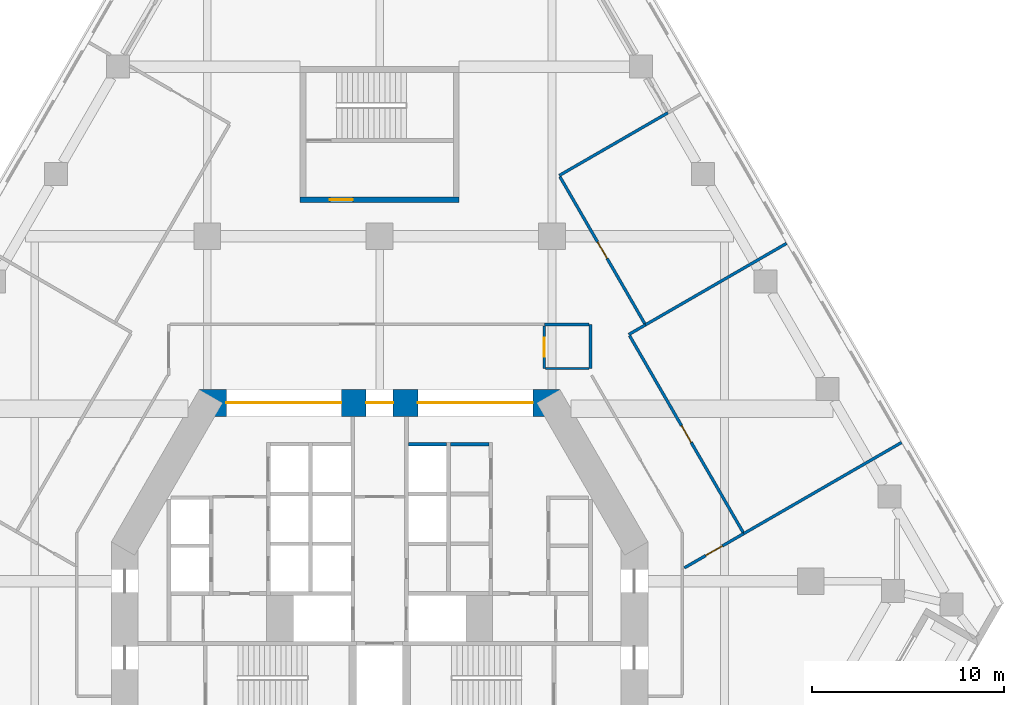
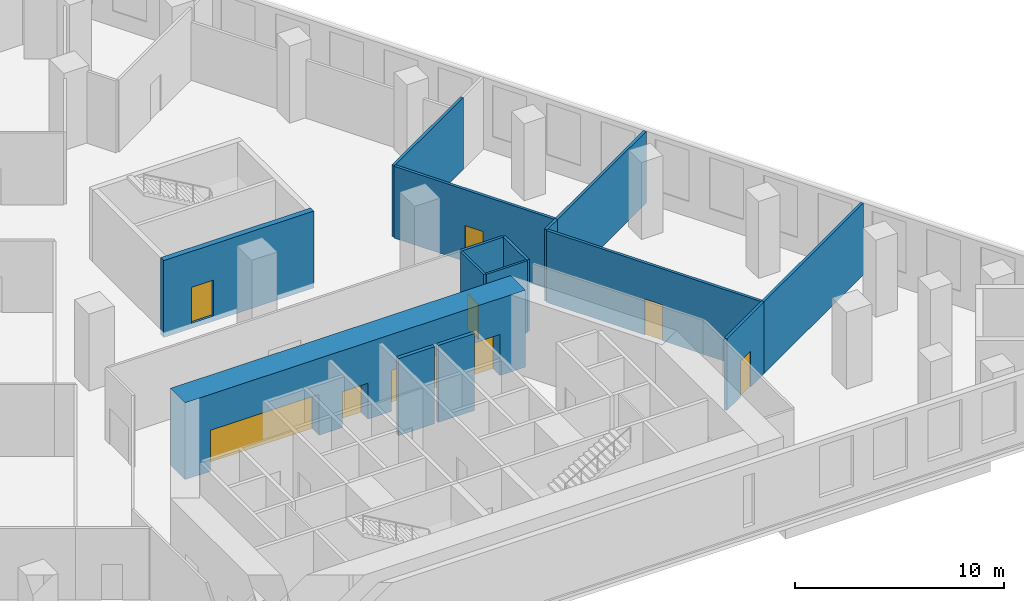
# One storey, part 8 of 14: 15 walls, 8 doors, 8 openings.
"""IFC4 building model written with IfcOpenShell, lengths in metres."""

from ifc_helpers import new_model, si_unit, direction, frame, frame_2d, origin, place, context, subcontext, project, spatial, rectangle, extrude, material, layer, layer_set, type_object, element, fill, save


model = new_model("IFC4")

# Units and contexts
model_context = context("Model", 3, precision=1e-05, world=origin(), true_north=direction((0.0, 1.0)))
body_context = subcontext(model_context, "Body", "Model", "MODEL_VIEW")
ifc_project = project(units=[si_unit("LENGTHUNIT", "METRE"), si_unit("AREAUNIT", "SQUARE_METRE"), si_unit("VOLUMEUNIT", "CUBIC_METRE"), si_unit("PLANEANGLEUNIT", "RADIAN"), si_unit("MASSUNIT", "GRAM", prefix="KILO")], contexts=[model_context])

# Site, building, storey
site_placement = place(None, origin())
site = spatial("IfcSite", under=ifc_project, at=site_placement, CompositionType="ELEMENT")
building_placement = place(site_placement, origin())
building = spatial("IfcBuilding", under=site, at=building_placement, Name="Fogline Exchange Tower", CompositionType="ELEMENT")
storey_placement = place(building_placement, frame((0.0, 0.0, 34.0)))
storey = spatial("IfcBuildingStorey", under=building, at=storey_placement, Name="L06", CompositionType="ELEMENT", Elevation=34.0)

# Walls
ifc_material_1 = material(Name="Concrete C40", Category="concrete")
ifc_layer_1 = layer(ifc_material_1, 0.199951171875)
ifc_layer_set_1 = layer_set([ifc_layer_1], Name="CW20S")
wall_type_1 = type_object("IfcWallType", Name="CW20S", PredefinedType="SOLIDWALL", material=ifc_layer_set_1)
for number, where, z_axis, x_axis, name in (
    (1, (3.699951171875, 16.14990234375, -0.300048828125), (0.0, 0.0, 1.0), (1.0, 0.0, 0.0), "Lift shaft wall"),
    (2, (1.5, 16.14990234375, -0.300048828125), (0.0, 0.0, 1.0), (1.0, 0.0, 0.0), "Lift shaft wall"),
):
    element("IfcWall", number, at=place(storey_placement, frame(where, z_axis=z_axis, x_axis=x_axis)), inside=storey, type_object=wall_type_1, Name=name, PredefinedType="SOLIDWALL", context=body_context, shape_type="SweptSolid", body=[
        extrude(rectangle(XDim=2.0, YDim=0.199951171875, at=frame_2d((1.0, 0.0))), origin(), (0.0, 0.0, 1.0), 4.5),
    ])

# Wall, opening, door
ifc_layer_2 = layer(ifc_material_1, 0.300048828125)
ifc_layer_set_2 = layer_set([ifc_layer_2], Name="CW30")
wall_type_2 = type_object("IfcWallType", Name="CW30", PredefinedType="SOLIDWALL", material=ifc_layer_set_2)
wall_1_placement = place(storey_placement, frame((-4.14990234375, 28.906982421875, -0.300048828125), z_axis=(0.0, 0.0, 1.0), x_axis=(1.0, 0.0, 0.0)))
wall_1 = element("IfcWall", 3, at=wall_1_placement, inside=storey, type_object=wall_type_2, Name="Stair enclosure wall ST3", PredefinedType="SOLIDWALL", context=body_context, shape_type="SweptSolid", body=[
    extrude(rectangle(XDim=8.2998046875, YDim=0.300048828125, at=frame_2d((4.14990234375, 0.0))), origin(), (0.0, 0.0, 1.0), 4.5),
])
opening_1_placement = place(wall_1_placement, frame((1.550048828125, 0.0, 0.300048828125)))
opening_1 = element("IfcOpeningElement", 4, at=opening_1_placement, cuts=wall_1, Name="Opening T01-C022", PredefinedType="OPENING", context=body_context, shape_type="SweptSolid", body=[
    extrude(rectangle(XDim=1.199951171875, YDim=2.10009765625, at=frame_2d((0.60009765625, 1.050048828125))), frame((0.0, 0.16015625, 0.0), z_axis=(0.0, -1.0, 0.0), x_axis=(1.0, 0.0, 0.0)), (0.0, 0.0, 1.0), 0.320068359375),
])
ifc_material_2 = material(Name="Steel and timber fire door", Category="steel")
door_type_1 = type_object("IfcDoorType", Name="D-FR1", OperationType="SINGLE_SWING_RIGHT", PredefinedType="DOOR", material=ifc_material_2)
door_1_placement = place(opening_1_placement, origin())
door_1 = element("IfcDoor", 5, at=door_1_placement, inside=storey, type_object=door_type_1, Name="Front room door ST3", OperationType="SINGLE_SWING_LEFT", OverallHeight=2.10009765625, OverallWidth=1.199951171875, PredefinedType="DOOR", context=body_context, shape_type="SweptSolid", body=[
    extrude(rectangle(XDim=1.199951171875, YDim=2.10009765625, at=frame_2d((0.60009765625, 1.050048828125))), frame((0.0, 0.02490234375, 0.0), z_axis=(0.0, -1.0, 0.0), x_axis=(1.0, 0.0, 0.0)), (0.0, 0.0, 1.0), 0.050048828125),
])
fill(opening_1, door_1)

ifc_material_3 = material(Name="Plasterboard corridor partition with mineral wool, 2 layers each side")
ifc_layer_3 = layer(ifc_material_3, 0.125)
ifc_layer_set_3 = layer_set([ifc_layer_3], Name="PW2")
wall_type_3 = type_object("IfcWallType", Name="PW2", PredefinedType="PARTITIONING", material=ifc_layer_set_3)
wall_2_placement = place(storey_placement, frame((8.60009765625, 22.324462890625, 0.0), z_axis=(0.0, 0.0, 1.0), x_axis=(0.0, -1.0, 0.0)))
wall_2 = element("IfcWall", 6, at=wall_2_placement, inside=storey, type_object=wall_type_3, Name="wall-L06-W007", PredefinedType="PARTITIONING", context=body_context, shape_type="SweptSolid", body=[
    extrude(rectangle(XDim=2.224365234375, YDim=0.125, at=frame_2d((1.1123046875, 0.0))), origin(), (0.0, 0.0, 1.0), 4.199951171875),
])
opening_2_placement = place(wall_2_placement, frame((0.6123046875, 0.0, 0.0)))
opening_2 = element("IfcOpeningElement", 7, at=opening_2_placement, cuts=wall_2, Name="Opening T01-D004", PredefinedType="OPENING", context=body_context, shape_type="SweptSolid", body=[
    extrude(rectangle(XDim=1.0, YDim=2.10009765625, at=frame_2d((0.5, 1.050048828125))), frame((0.0, 0.072509765625, 0.0), z_axis=(0.0, -1.0, 0.0), x_axis=(1.0, 0.0, 0.0)), (0.0, 0.0, 1.0), 0.14501953125),
])
ifc_material_4 = material(Name="Fire-rated timber door leaf with steel frame", Category="steel")
door_type_2 = type_object("IfcDoorType", Name="D3", OperationType="SINGLE_SWING_LEFT", PredefinedType="DOOR", material=ifc_material_4)
door_2_placement = place(opening_2_placement, origin())
door_2 = element("IfcDoor", 8, at=door_2_placement, inside=storey, type_object=door_type_2, Name="door-L06-D004", OperationType="SINGLE_SWING_RIGHT", OverallHeight=2.10009765625, OverallWidth=1.0, PredefinedType="DOOR", context=body_context, shape_type="SweptSolid", body=[
    extrude(rectangle(XDim=1.0, YDim=2.10009765625, at=frame_2d((0.5, 1.050048828125))), frame((0.0, 0.02490234375, 0.0), z_axis=(0.0, -1.0, 0.0), x_axis=(1.0, 0.0, 0.0)), (0.0, 0.0, 1.0), 0.050048828125),
])
fill(opening_2, door_2)

# Walls
wall_3_placement = place(storey_placement, frame((8.66259765625, 20.10009765625, 0.0), z_axis=(0.0, 0.0, 1.0), x_axis=(1.0, 0.0, 0.0)))
element("IfcWall", 9, at=wall_3_placement, inside=storey, type_object=wall_type_3, Name="wall-L06-W008", PredefinedType="PARTITIONING", context=body_context, shape_type="SweptSolid", body=[
    extrude(rectangle(XDim=2.262451171875, YDim=0.125, at=frame_2d((1.13134765625, 0.0))), origin(), (0.0, 0.0, 1.0), 4.199951171875),
])
ifc_material_5 = material(Name="Plasterboard demising partition with mineral wool and acoustic board")
ifc_layer_4 = layer(ifc_material_5, 0.14990234375)
ifc_layer_set_4 = layer_set([ifc_layer_4], Name="PW3")
wall_type_4 = type_object("IfcWallType", Name="PW3", PredefinedType="PARTITIONING", material=ifc_layer_set_4)
wall_4_placement = place(storey_placement, frame((9.373046875, 30.171142578125, 0.0), z_axis=(0.0, 0.0, 1.0), x_axis=(0.866021102686, 0.500007449647, 0.0)))
element("IfcWall", 10, at=wall_4_placement, inside=storey, type_object=wall_type_4, Name="wall-L06-W014", PredefinedType="PARTITIONING", context=body_context, shape_type="SweptSolid", body=[
    extrude(rectangle(XDim=6.55029296875, YDim=0.14990234375, at=frame_2d((3.275146484375, 0.0))), origin(), (0.0, 0.0, 1.0), 4.199951171875),
])

# Wall, opening, door
wall_5_placement = place(storey_placement, frame((13.835693359375, 22.44189453125, 0.0), z_axis=(0.0, 0.0, 1.0), x_axis=(-0.500005027614, 0.86602250107, 0.0)))
wall_5 = element("IfcWall", 11, at=wall_5_placement, inside=storey, type_object=wall_type_4, Name="wall-L06-W015", PredefinedType="PARTITIONING", context=body_context, shape_type="SweptSolid", body=[
    extrude(rectangle(XDim=8.85009765625, YDim=0.14990234375, at=frame_2d((4.425048828125, 0.0))), origin(), (0.0, 0.0, 1.0), 4.199951171875),
])
opening_3_placement = place(wall_5_placement, frame((3.925048828125, 0.0, 0.0)))
opening_3 = element("IfcOpeningElement", 12, at=opening_3_placement, cuts=wall_5, Name="Opening T01-D006", PredefinedType="OPENING", context=body_context, shape_type="SweptSolid", body=[
    extrude(rectangle(XDim=1.0, YDim=2.10009765625, at=frame_2d((0.5, 1.050048828125))), frame((0.0, 0.0849609375, 0.0), z_axis=(0.0, -1.0, 0.0), x_axis=(1.0, 0.0, 0.0)), (0.0, 0.0, 1.0), 0.169921875),
])
door_3_placement = place(opening_3_placement, frame((1.0, 0.0, 0.0), z_axis=(0.0, 0.0, 1.0), x_axis=(-1.0, 0.0, 0.0)))
door_3 = element("IfcDoor", 13, at=door_3_placement, inside=storey, type_object=door_type_2, Name="door-L06-D006", OperationType="SINGLE_SWING_RIGHT", OverallHeight=2.10009765625, OverallWidth=1.0, PredefinedType="DOOR", context=body_context, shape_type="SweptSolid", body=[
    extrude(rectangle(XDim=1.0, YDim=2.10009765625, at=frame_2d((0.5, 1.050048828125))), frame((0.0, 0.02490234375, 0.0), z_axis=(0.0, -1.0, 0.0), x_axis=(1.0, 0.0, 0.0)), (0.0, 0.0, 1.0), 0.050048828125),
])
fill(opening_3, door_3)

# Wall
wall_6_placement = place(storey_placement, frame((21.234375, 26.626953125, 0.0), z_axis=(0.0, 0.0, 1.0), x_axis=(-0.866028703517, -0.499994284652, 0.0)))
element("IfcWall", 14, at=wall_6_placement, inside=storey, type_object=wall_type_4, Name="wall-L06-W016", PredefinedType="PARTITIONING", context=body_context, shape_type="SweptSolid", body=[
    extrude(rectangle(XDim=8.5, YDim=0.14990234375, at=frame_2d((4.25, 0.0))), origin(), (0.0, 0.0, 1.0), 4.199951171875),
])

# Wall, opening, door
wall_7_placement = place(storey_placement, frame((19.007080078125, 11.484619140625, 0.0), z_axis=(0.0, 0.0, 1.0), x_axis=(-0.866048453834, -0.499960074017, 0.0)))
wall_7 = element("IfcWall", 15, at=wall_7_placement, inside=storey, type_object=wall_type_4, Name="wall-L06-W036", PredefinedType="PARTITIONING", context=body_context, shape_type="SweptSolid", body=[
    extrude(rectangle(XDim=3.587158203125, YDim=0.14990234375, at=frame_2d((1.79345703125, 0.0))), origin(), (0.0, 0.0, 1.0), 4.199951171875),
])
opening_4_placement = place(wall_7_placement, frame((1.293701171875, 0.0, 0.0)))
opening_4 = element("IfcOpeningElement", 16, at=opening_4_placement, cuts=wall_7, Name="Opening T01-D014", PredefinedType="OPENING", context=body_context, shape_type="SweptSolid", body=[
    extrude(rectangle(XDim=1.0, YDim=2.10009765625, at=frame_2d((0.5, 1.050048828125))), frame((0.0, 0.0849609375, 0.0), z_axis=(0.0, -1.0, 0.0), x_axis=(1.0, 0.0, 0.0)), (0.0, 0.0, 1.0), 0.169921875),
])
door_4_placement = place(opening_4_placement, origin())
door_4 = element("IfcDoor", 17, at=door_4_placement, inside=storey, type_object=door_type_2, Name="door-L06-D014", OperationType="SINGLE_SWING_RIGHT", OverallHeight=2.10009765625, OverallWidth=1.0, PredefinedType="DOOR", context=body_context, shape_type="SweptSolid", body=[
    extrude(rectangle(XDim=1.0, YDim=2.10009765625, at=frame_2d((0.5, 1.050048828125))), frame((0.0, 0.02490234375, 0.0), z_axis=(0.0, -1.0, 0.0), x_axis=(1.0, 0.0, 0.0)), (0.0, 0.0, 1.0), 0.050048828125),
])
fill(opening_4, door_4)

# Wall
wall_8_placement = place(storey_placement, frame((13.873046875, 22.376953125, 0.0), z_axis=(0.0, 0.0, 1.0), x_axis=(-0.866010750942, -0.50002537861, 0.0)))
element("IfcWall", 18, at=wall_8_placement, inside=storey, type_object=wall_type_4, Name="wall-L06-W037", PredefinedType="PARTITIONING", context=body_context, shape_type="SweptSolid", body=[
    extrude(rectangle(XDim=1.0, YDim=0.14990234375, at=frame_2d((0.5, 0.0))), origin(), (0.0, 0.0, 1.0), 4.199951171875),
])

# Wall, opening, door
wall_9_placement = place(storey_placement, frame((13.044677734375, 21.81201171875, 0.0), z_axis=(0.0, 0.0, 1.0), x_axis=(0.499994727438, -0.866028447878, 0.0)))
wall_9 = element("IfcWall", 19, at=wall_9_placement, inside=storey, type_object=wall_type_4, Name="wall-L06-W038", PredefinedType="PARTITIONING", context=body_context, shape_type="SweptSolid", body=[
    extrude(rectangle(XDim=11.849853515625, YDim=0.14990234375, at=frame_2d((5.9248046875, 0.0))), origin(), (0.0, 0.0, 1.0), 4.199951171875),
])
opening_5_placement = place(wall_9_placement, frame((5.425048828125, 0.0, 0.0)))
opening_5 = element("IfcOpeningElement", 20, at=opening_5_placement, cuts=wall_9, Name="Opening T01-D015", PredefinedType="OPENING", context=body_context, shape_type="SweptSolid", body=[
    extrude(rectangle(XDim=1.0, YDim=2.10009765625, at=frame_2d((0.5, 1.050048828125))), frame((0.0, 0.0849609375, 0.0), z_axis=(0.0, -1.0, 0.0), x_axis=(1.0, 0.0, 0.0)), (0.0, 0.0, 1.0), 0.169921875),
])
door_5_placement = place(opening_5_placement, origin())
door_5 = element("IfcDoor", 21, at=door_5_placement, inside=storey, type_object=door_type_2, Name="door-L06-D015", OperationType="SINGLE_SWING_RIGHT", OverallHeight=2.10009765625, OverallWidth=1.0, PredefinedType="DOOR", context=body_context, shape_type="SweptSolid", body=[
    extrude(rectangle(XDim=1.0, YDim=2.10009765625, at=frame_2d((0.5, 1.050048828125))), frame((0.0, 0.02490234375, 0.0), z_axis=(0.0, -1.0, 0.0), x_axis=(1.0, 0.0, 0.0)), (0.0, 0.0, 1.0), 0.050048828125),
])
fill(opening_5, door_5)

# Walls
wall_10_placement = place(storey_placement, frame((11.0, 20.10009765625, 0.0), z_axis=(0.0, 0.0, 1.0), x_axis=(0.0, 1.0, 0.0)))
element("IfcWall", 22, at=wall_10_placement, inside=storey, type_object=wall_type_4, Name="wall-L06-W039", PredefinedType="PARTITIONING", context=body_context, shape_type="SweptSolid", body=[
    extrude(rectangle(XDim=2.2998046875, YDim=0.14990234375, at=frame_2d((1.14990234375, 0.0))), origin(), (0.0, 0.0, 1.0), 4.199951171875),
])
wall_11_placement = place(storey_placement, frame((10.925048828125, 22.39990234375, 0.0), z_axis=(0.0, 0.0, 1.0), x_axis=(-1.0, 0.0, 0.0)))
element("IfcWall", 23, at=wall_11_placement, inside=storey, type_object=wall_type_4, Name="wall-L06-W040", PredefinedType="PARTITIONING", context=body_context, shape_type="SweptSolid", body=[
    extrude(rectangle(XDim=2.324951171875, YDim=0.14990234375, at=frame_2d((1.16259765625, 0.0))), origin(), (0.0, 0.0, 1.0), 4.199951171875),
])
wall_12_placement = place(storey_placement, frame((19.007080078125, 11.484619140625, 0.0), z_axis=(0.0, 0.0, 1.0), x_axis=(0.86602681393, 0.499997557548, 0.0)))
element("IfcWall", 24, at=wall_12_placement, inside=storey, type_object=wall_type_4, Name="wall-L06-W045", PredefinedType="PARTITIONING", context=body_context, shape_type="SweptSolid", body=[
    extrude(rectangle(XDim=9.5, YDim=0.14990234375, at=frame_2d((4.75, 0.0))), origin(), (0.0, 0.0, 1.0), 4.199951171875),
])

# Wall, openings, doors
ifc_material_6 = material(Name="Concrete C60", Category="concrete")
ifc_layer_5 = layer(ifc_material_6, 1.39990234375)
ifc_layer_set_5 = layer_set([ifc_layer_5], Name="SW01")
wall_type_5 = type_object("IfcWallType", Name="SW01", PredefinedType="SHEAR", material=ifc_layer_set_5)
wall_13_placement = place(storey_placement, frame((9.41162109375, 18.300048828125, 0.0), z_axis=(0.0, 0.0, 1.0), x_axis=(-1.0, 0.0, 0.0)))
wall_13 = element("IfcWall", 25, at=wall_13_placement, inside=storey, type_object=wall_type_5, Name="L06-W904", PredefinedType="SHEAR", context=body_context, shape_type="SweptSolid", body=[
    extrude(rectangle(XDim=18.8232421875, YDim=1.39990234375, at=frame_2d((9.41162109375, 0.0))), origin(), (0.0, 0.0, 1.0), 4.5),
])
opening_6_placement = place(wall_13_placement, frame((8.71142578125, 0.0, 0.0)))
opening_6 = element("IfcOpeningElement", 26, at=opening_6_placement, cuts=wall_13, Name="Opening T01-C019", PredefinedType="OPENING", context=body_context, shape_type="SweptSolid", body=[
    extrude(rectangle(XDim=1.39990234375, YDim=2.10009765625, at=frame_2d((0.699951171875, 1.050048828125))), frame((0.0, 0.7099609375, 0.0), z_axis=(0.0, -1.0, 0.0), x_axis=(1.0, 0.0, 0.0)), (0.0, 0.0, 1.0), 1.419921875),
])
opening_7_placement = place(wall_13_placement, frame((11.41162109375, 0.0, 0.0)))
opening_7 = element("IfcOpeningElement", 27, at=opening_7_placement, cuts=wall_13, Name="Opening T01-C020", PredefinedType="OPENING", context=body_context, shape_type="SweptSolid", body=[
    extrude(rectangle(XDim=6.0, YDim=2.39990234375, at=frame_2d((3.0, 1.199951171875))), frame((0.0, 0.7099609375, 0.0), z_axis=(0.0, -1.0, 0.0), x_axis=(1.0, 0.0, 0.0)), (0.0, 0.0, 1.0), 1.419921875),
])
opening_8_placement = place(wall_13_placement, frame((1.41162109375, 0.0, 0.0)))
opening_8 = element("IfcOpeningElement", 28, at=opening_8_placement, cuts=wall_13, Name="Opening T01-C021", PredefinedType="OPENING", context=body_context, shape_type="SweptSolid", body=[
    extrude(rectangle(XDim=6.0, YDim=2.39990234375, at=frame_2d((3.0, 1.199951171875))), frame((0.0, 0.7099609375, 0.0), z_axis=(0.0, -1.0, 0.0), x_axis=(1.0, 0.0, 0.0)), (0.0, 0.0, 1.0), 1.419921875),
])
door_type_3 = type_object("IfcDoorType", Name="D-LB1", OperationType="DOUBLE_DOOR_SINGLE_SWING", PredefinedType="DOOR", material=ifc_material_2)
door_6_placement = place(opening_6_placement, origin())
door_6 = element("IfcDoor", 29, at=door_6_placement, inside=storey, type_object=door_type_3, Name="Protected lobby door", OperationType="DOUBLE_DOOR_SINGLE_SWING", OverallHeight=2.10009765625, OverallWidth=1.39990234375, PredefinedType="DOOR", context=body_context, shape_type="SweptSolid", body=[
    extrude(rectangle(XDim=1.39990234375, YDim=2.10009765625, at=frame_2d((0.699951171875, 1.050048828125))), frame((0.0, 0.02490234375, 0.0), z_axis=(0.0, -1.0, 0.0), x_axis=(1.0, 0.0, 0.0)), (0.0, 0.0, 1.0), 0.050048828125),
])
fill(opening_6, door_6)
door_type_4 = type_object("IfcDoorType", Name="D-LE1", OperationType="DOUBLE_DOOR_SLIDING", PredefinedType="DOOR", material=ifc_material_2)
door_7_placement = place(opening_7_placement, origin())
door_7 = element("IfcDoor", 30, at=door_7_placement, inside=storey, type_object=door_type_4, Name="Lift lobby entrance west", OperationType="DOUBLE_DOOR_SLIDING", OverallHeight=2.39990234375, OverallWidth=6.0, PredefinedType="DOOR", context=body_context, shape_type="SweptSolid", body=[
    extrude(rectangle(XDim=6.0, YDim=2.39990234375, at=frame_2d((3.0, 1.199951171875))), frame((0.0, 0.02490234375, 0.0), z_axis=(0.0, -1.0, 0.0), x_axis=(1.0, 0.0, 0.0)), (0.0, 0.0, 1.0), 0.050048828125),
])
fill(opening_7, door_7)
door_8_placement = place(opening_8_placement, origin())
door_8 = element("IfcDoor", 31, at=door_8_placement, inside=storey, type_object=door_type_4, Name="Lift lobby entrance east", OperationType="DOUBLE_DOOR_SLIDING", OverallHeight=2.39990234375, OverallWidth=6.0, PredefinedType="DOOR", context=body_context, shape_type="SweptSolid", body=[
    extrude(rectangle(XDim=6.0, YDim=2.39990234375, at=frame_2d((3.0, 1.199951171875))), frame((0.0, 0.02490234375, 0.0), z_axis=(0.0, -1.0, 0.0), x_axis=(1.0, 0.0, 0.0)), (0.0, 0.0, 1.0), 0.050048828125),
])
fill(opening_8, door_8)

save(model, "model.ifc")
